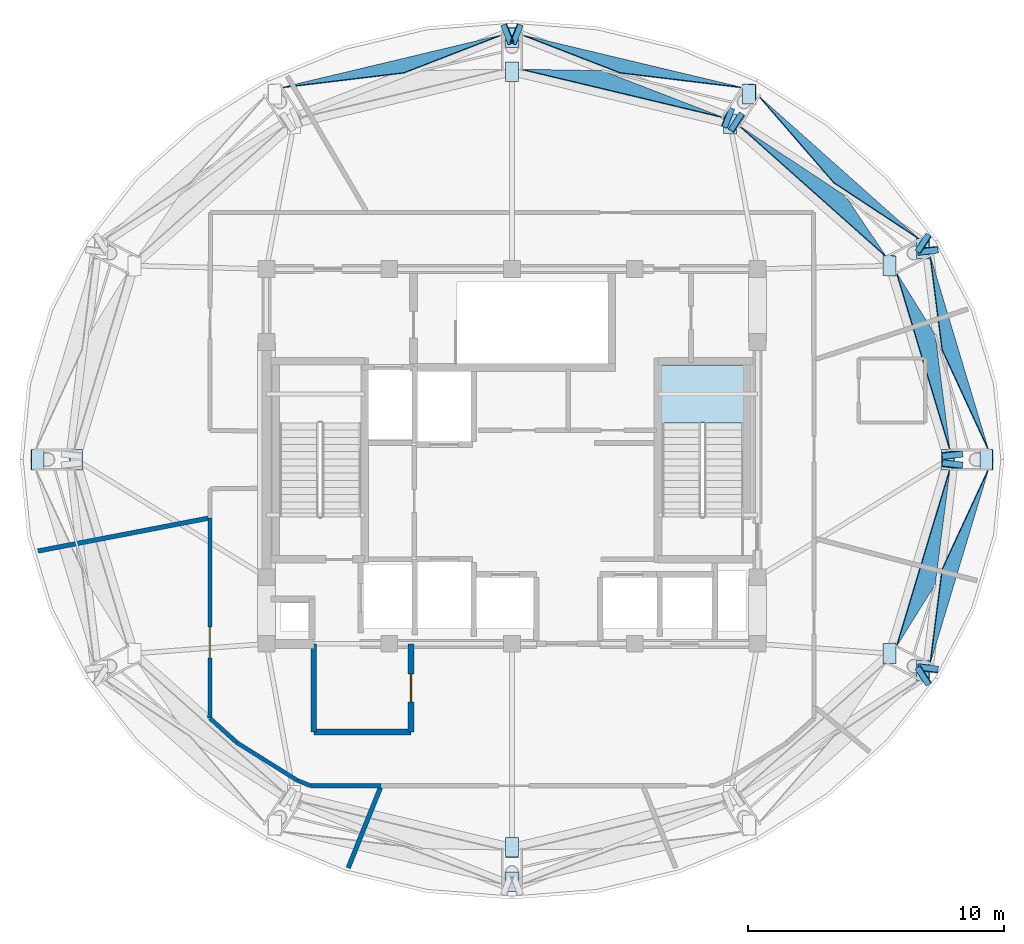
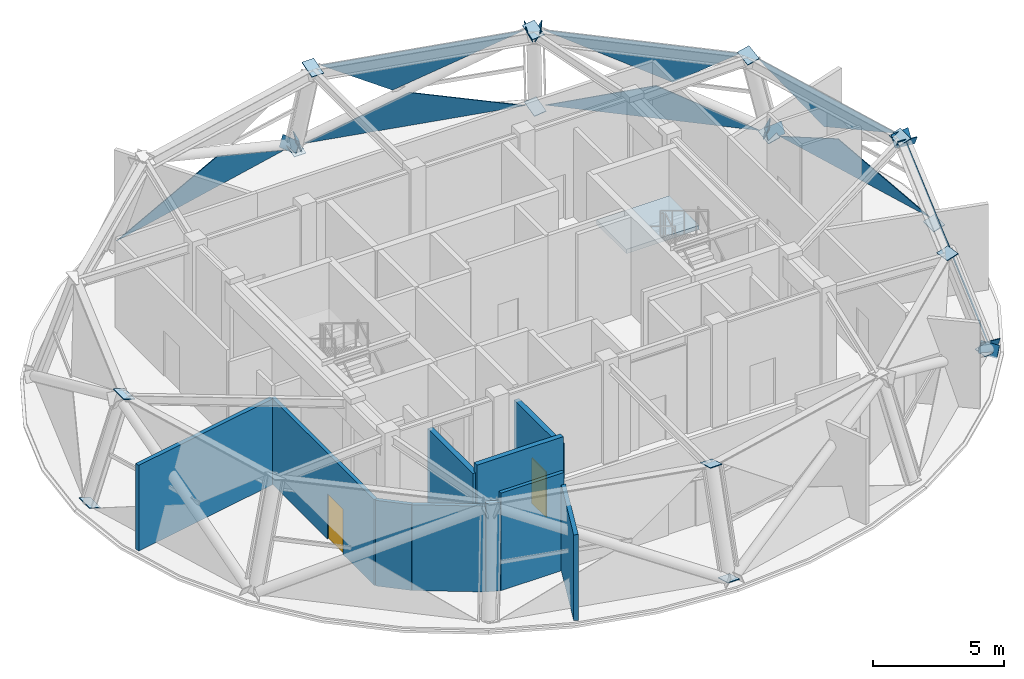
# One storey, part 4 of 11: 33 plates, 10 walls, 2 doors, 1 slab, 2 openings, 6 elements without a shape of their own.
"""IFC4 building model written with IfcOpenShell, lengths in metres."""

from ifc_helpers import new_model, si_unit, direction, frame, frame_2d, origin, place, context, subcontext, project, spatial, polyline, rectangle, outline, extrude, material, layer, layer_set, type_object, element, fill, aggregate, save


model = new_model("IFC4")

# Units and contexts
model_context = context("Model", 3, precision=1e-05, world=origin(), true_north=direction((0.0, 1.0)))
body_context = subcontext(model_context, "Body", "Model", "MODEL_VIEW")
ifc_project = project(units=[si_unit("LENGTHUNIT", "METRE"), si_unit("AREAUNIT", "SQUARE_METRE"), si_unit("VOLUMEUNIT", "CUBIC_METRE"), si_unit("PLANEANGLEUNIT", "RADIAN"), si_unit("MASSUNIT", "GRAM", prefix="KILO")], contexts=[model_context])

# Site, building, storey
site_placement = place(None, origin())
site = spatial("IfcSite", under=ifc_project, at=site_placement, CompositionType="ELEMENT")
building_placement = place(site_placement, origin())
building = spatial("IfcBuilding", under=site, at=building_placement, Name="Vantalir Tower", CompositionType="ELEMENT")
storey_placement = place(building_placement, frame((0.0, 0.0, 299.699951171875)))
storey = spatial("IfcBuildingStorey", under=building, at=storey_placement, Name="L75", CompositionType="ELEMENT", Elevation=299.699951171875)

# Curtain wall, plates
ifc_material_1 = material(Name="Champagne-silver PVDF aluminium and double-silver Low-E glass", Category="aluminium")
ifc_layer_1 = layer(ifc_material_1, 0.219970703125)
ifc_layer_set_1 = layer_set([ifc_layer_1], Name="Champagne-silver PVDF aluminium and double-silver Low-E glass")
curtain_wall_type = type_object("IfcCurtainWallType", Name="CW-DIAMOND-Z4", PredefinedType="USERDEFINED", material=ifc_layer_set_1)
curtain_wall_1_placement = place(storey_placement, origin())
curtain_wall_1 = element("IfcCurtainWall", 1, at=curtain_wall_1_placement, inside=storey, type_object=curtain_wall_type, Name="L75 Quilted Pyramid-Diamond Curtain Wall S01", ObjectType="UNITISED CURTAIN WALL", PredefinedType="USERDEFINED")
ifc_material_2 = material(Name="Double-silver Low-E acoustic glass IGU", Category="glass")
ifc_layer_2 = layer(ifc_material_2, 0.031982421875)
ifc_layer_set_2 = layer_set([ifc_layer_2], Name="Double-silver Low-E acoustic glass IGU")
plate_type_1 = type_object("IfcPlateType", Name="CWP-IGU-32", PredefinedType="CURTAIN_PANEL", material=ifc_layer_set_2)
plate_1_placement = place(storey_placement, frame((50.132568359375, 25.387451171875, 0.047607421875), z_axis=(0.913751989323, 0.274853466194, 0.299187021994), x_axis=(-0.288066221262, 0.95761048884, 6.1903131e-05)))
plate_1 = element("IfcPlate", 2, at=plate_1_placement, type_object=plate_type_1, Name="CW-L75-S01 Pyramid Diamond Facet 1L", PredefinedType="CURTAIN_PANEL", context=body_context, shape_type="SweptSolid", body=[
    extrude(outline(polyline([(0.0, 0.0), (7.887827968579978, -1.1866592777853846e-16), (4.267180070027919, 2.019741368903529), (0.0, 0.0)])), origin(), (0.0, 0.0, -1.0), 0.031982421875),
])
plate_2_placement = place(storey_placement, frame((46.547607421875, 32.289794921875, 4.501708984375), z_axis=(0.907967558751, 0.273206024476, 0.317731617006), x_axis=(0.288115351126, -0.957595707935, 6.7744028e-05)))
plate_2 = element("IfcPlate", 3, at=plate_2_placement, type_object=plate_type_1, Name="CW-L75-S01 Pyramid Diamond Facet 2U", PredefinedType="CURTAIN_PANEL", context=body_context, shape_type="SweptSolid", body=[
    extrude(outline(polyline([(0.0, 0.0), (7.207738664845542, -2.1955093992831465e-16), (2.739908023278532, 2.3345387111269083), (0.0, 0.0)])), origin(), (0.0, 0.0, -1.0), 0.031982421875),
])
aggregate(curtain_wall_1, [plate_1, plate_2])

curtain_wall_2_placement = place(storey_placement, origin())
curtain_wall_2 = element("IfcCurtainWall", 4, at=curtain_wall_2_placement, inside=storey, type_object=curtain_wall_type, Name="L75 Quilted Pyramid-Diamond Curtain Wall S02", ObjectType="UNITISED CURTAIN WALL", PredefinedType="USERDEFINED")
plate_3_placement = place(storey_placement, frame((47.3974609375, 33.653076171875, 0.0478515625), z_axis=(0.637563421946, 0.715751023076, 0.284979571131), x_axis=(-0.746708800711, 0.665151085154, -2.9305683e-05)))
plate_3 = element("IfcPlate", 5, at=plate_3_placement, type_object=plate_type_1, Name="CW-L75-S02 Pyramid Diamond Facet 1L", PredefinedType="CURTAIN_PANEL", context=body_context, shape_type="SweptSolid", body=[
    extrude(outline(polyline([(0.0, 0.0), (8.33082872342985, 6.743737512859838e-17), (3.919227371898298, 2.0076826539412655), (0.0, 0.0)])), origin(), (0.0, 0.0, -1.0), 0.031982421875),
])
plate_4_placement = place(storey_placement, frame((40.4228515625, 38.0283203125, 4.50244140625), z_axis=(0.633730170821, 0.711524313881, 0.303511484706), x_axis=(0.746763715312, -0.665089429632, -6.3907892e-05)))
plate_4 = element("IfcPlate", 6, at=plate_4_placement, type_object=plate_type_1, Name="CW-L75-S02 Pyramid Diamond Facet 2U", PredefinedType="CURTAIN_PANEL", context=body_context, shape_type="SweptSolid", body=[
    extrude(outline(polyline([(0.0, 0.0), (7.640390513435794, -2.636779683484747e-16), (4.8621812284135135, 2.3236567909451518), (0.0, 0.0)])), origin(), (0.0, 0.0, -1.0), 0.031982421875),
])
aggregate(curtain_wall_2, [plate_3, plate_4])

curtain_wall_3_placement = place(storey_placement, origin())
curtain_wall_3 = element("IfcCurtainWall", 7, at=curtain_wall_3_placement, inside=storey, type_object=curtain_wall_type, Name="L75 Quilted Pyramid-Diamond Curtain Wall S03", ObjectType="UNITISED CURTAIN WALL", PredefinedType="USERDEFINED")
plate_5_placement = place(storey_placement, frame((40.481201171875, 39.557373046875, 0.04736328125), z_axis=(0.223413120987, 0.935858828089, 0.272497396793), x_axis=(-0.972671629071, 0.232185053136, 5.5679869e-05)))
plate_5 = element("IfcPlate", 8, at=plate_5_placement, type_object=plate_type_1, Name="CW-L75-S03 Pyramid Diamond Facet 1L", PredefinedType="CURTAIN_PANEL", context=body_context, shape_type="SweptSolid", body=[
    extrude(outline(polyline([(0.0, 0.0), (8.769439656006567, -8.608565249534905e-17), (4.756720443863298, 2.0040418650186504), (0.0, 0.0)])), origin(), (0.0, 0.0, -1.0), 0.031982421875),
])
plate_6_placement = place(storey_placement, frame((31.893798828125, 40.260986328125, 4.502197265625), z_axis=(0.222057040959, 0.930461992241, 0.291429496714), x_axis=(0.972681810826, -0.232142400196, 3.031767e-05)))
plate_6 = element("IfcPlate", 9, at=plate_6_placement, type_object=plate_type_1, Name="CW-L75-S03 Pyramid Diamond Facet 2U", PredefinedType="CURTAIN_PANEL", context=body_context, shape_type="SweptSolid", body=[
    extrude(outline(polyline([(0.0, 0.0), (8.052750225916624, -4.082021179407924e-17), (3.0532302507931846, 2.314423533634651), (0.0, 0.0)])), origin(), (0.0, 0.0, -1.0), 0.031982421875),
])
aggregate(curtain_wall_3, [plate_5, plate_6])

# Curtain wall, plate
curtain_wall_4_placement = place(storey_placement, origin())
curtain_wall_4 = element("IfcCurtainWall", 10, at=curtain_wall_4_placement, inside=storey, type_object=curtain_wall_type, Name="L75 Quilted Pyramid-Diamond Curtain Wall S04", ObjectType="UNITISED CURTAIN WALL", PredefinedType="USERDEFINED")
plate_7_placement = place(storey_placement, frame((31.048583984375, 41.593505859375, 0.0478515625), z_axis=(-0.223413120987, 0.935858828089, 0.272497396793), x_axis=(-0.972671629071, -0.232185053136, -5.5679869e-05)))
plate_7 = element("IfcPlate", 11, at=plate_7_placement, type_object=plate_type_1, Name="CW-L75-S04 Pyramid Diamond Facet 1L", PredefinedType="CURTAIN_PANEL", context=body_context, shape_type="SweptSolid", body=[
    extrude(outline(polyline([(0.0, 0.0), (8.769439656006567, 8.608565249534905e-17), (4.012719212143269, 2.004041865018651), (0.0, 0.0)])), origin(), (0.0, 0.0, -1.0), 0.031982421875),
])
aggregate(curtain_wall_4, [plate_7])

# Curtain wall, plates
curtain_wall_5_placement = place(storey_placement, origin())
curtain_wall_5 = element("IfcCurtainWall", 12, at=curtain_wall_5_placement, inside=storey, type_object=curtain_wall_type, Name="L75 Quilted Pyramid-Diamond Curtain Wall S12", ObjectType="UNITISED CURTAIN WALL", PredefinedType="USERDEFINED")
plate_8_placement = place(storey_placement, frame((47.8603515625, 17.05908203125, 0.048095703125), z_axis=(0.913751989323, -0.274853466194, 0.299187021994), x_axis=(0.288066221262, 0.95761048884, -6.1903131e-05)))
plate_8 = element("IfcPlate", 13, at=plate_8_placement, type_object=plate_type_1, Name="CW-L75-S12 Pyramid Diamond Facet 1L", PredefinedType="CURTAIN_PANEL", context=body_context, shape_type="SweptSolid", body=[
    extrude(outline(polyline([(0.0, 0.0), (7.887827968579978, 1.1866592777853846e-16), (3.6206478985520594, 2.019741368903529), (0.0, 0.0)])), origin(), (0.0, 0.0, -1.0), 0.031982421875),
])
plate_9_placement = place(storey_placement, frame((48.624267578125, 24.6123046875, 4.502197265625), z_axis=(0.907967558751, -0.273206024476, 0.317731617006), x_axis=(-0.288115351126, -0.957595707935, -6.7744028e-05)))
plate_9 = element("IfcPlate", 14, at=plate_9_placement, type_object=plate_type_1, Name="CW-L75-S12 Pyramid Diamond Facet 2U", PredefinedType="CURTAIN_PANEL", context=body_context, shape_type="SweptSolid", body=[
    extrude(outline(polyline([(0.0, 0.0), (7.207738664845542, 2.1955093992831465e-16), (4.46783064156701, 2.3345387111269083), (0.0, 0.0)])), origin(), (0.0, 0.0, -1.0), 0.031982421875),
])
aggregate(curtain_wall_5, [plate_8, plate_9])

# Plates
ifc_material_3 = material(Name="Steel S460", Category="steel")
ifc_layer_3 = layer(ifc_material_3, 0.031982421875)
ifc_layer_set_3 = layer_set([ifc_layer_3], Name="Steel S460")
plate_type_2 = type_object("IfcPlateType", Name="PLT-KN-Z3", PredefinedType="USERDEFINED", material=ifc_layer_set_3)
plate_10_placement = place(storey_placement, frame((48.295654296875, 25.39990234375, 4.490966796875), z_axis=(-0.314960133081, 0.0, 0.949104901773), x_axis=(0.0, -1.0, 0.0)))
element("IfcPlate", 15, at=plate_10_placement, inside=storey, type_object=plate_type_2, Name="L75 Ring Column Top Cap RC01", ObjectType="FLANGE_PLATE", PredefinedType="USERDEFINED", context=body_context, shape_type="SweptSolid", body=[
    extrude(outline(polyline([(0.0, 0.0), (0.7998046875, 0.0), (0.7998046875, 0.5201241114947325), (0.0, 0.5201241114947325), (0.0, 0.0)])), origin(), (0.0, 0.0, -1.0), 0.031982421875),
])
plate_11_placement = place(storey_placement, frame((49.796630859375, 25.39990234375, -0.031494140625), z_axis=(-0.315100506774, 0.0, 0.949058307287), x_axis=(0.0, -1.0, 0.0)))
element("IfcPlate", 16, at=plate_11_placement, inside=storey, type_object=plate_type_2, Name="L75 Ring Column Base Cap RC01", ObjectType="FLANGE_PLATE", PredefinedType="USERDEFINED", context=body_context, shape_type="SweptSolid", body=[
    extrude(outline(polyline([(0.0, 0.0), (0.7998046875, 0.0), (0.7998046875, 0.5198924021173592), (0.0, 0.5198924021173592), (0.0, 0.0)])), origin(), (0.0, 0.0, -1.0), 0.031982421875),
])
plate_12_placement = place(storey_placement, frame((46.00927734375, 32.984619140625, 4.561279296875), z_axis=(-0.273121095349, -0.141077917785, 0.951578629641), x_axis=(3.9662438e-05, -0.989189539574, -0.146642603715)))
element("IfcPlate", 17, at=plate_12_placement, inside=storey, type_object=plate_type_2, Name="L75 Ring Column Top Cap RC02", ObjectType="FLANGE_PLATE", PredefinedType="USERDEFINED", context=body_context, shape_type="SweptSolid", body=[
    extrude(outline(polyline([(0.0, 0.0), (0.7998905633648582, 0.0), (0.7998522044937388, 0.5199823213365796), (-7.41602880418718e-05, 0.5200482818165724), (0.0, 0.0)])), origin(), (0.0, 0.0, -1.0), 0.031982421875),
])
plate_13_placement = place(storey_placement, frame((47.308349609375, 33.654541015625, 0.038818359375), z_axis=(-0.27333598191, -0.14092532508, 0.951539538718), x_axis=(0.0, -0.989210016372, -0.146504414643)))
element("IfcPlate", 18, at=plate_13_placement, inside=storey, type_object=plate_type_2, Name="L75 Ring Column Base Cap RC02", ObjectType="FLANGE_PLATE", PredefinedType="USERDEFINED", context=body_context, shape_type="SweptSolid", body=[
    extrude(outline(polyline([(0.0, 0.0), (0.7998905717991556, 0.0), (0.7998164283804899, 0.5200482947918399), (-7.414341866553154e-05, 0.5200482947918399), (0.0, 0.0)])), origin(), (0.0, 0.0, -1.0), 0.031982421875),
])
plate_14_placement = place(storey_placement, frame((39.764404296875, 38.52392578125, 4.632568359375), z_axis=(-0.158567737457, -0.245595418024, 0.956315409937), x_axis=(5.942008e-06, -0.968569892701, -0.248741558486)))
element("IfcPlate", 19, at=plate_14_placement, inside=storey, type_object=plate_type_2, Name="L75 Ring Column Top Cap RC03", ObjectType="FLANGE_PLATE", PredefinedType="USERDEFINED", context=body_context, shape_type="SweptSolid", body=[
    extrude(outline(polyline([(0.0, 0.0), (0.8000403343747002, -3.469446951953614e-18), (0.800048605225657, 0.5200019931624941), (0.00024473810991695183, 0.5200116212639849), (0.0, 0.0)])), origin(), (0.0, 0.0, -1.0), 0.031982421875),
])
plate_15_placement = place(storey_placement, frame((40.514892578125, 39.6845703125, 0.110107421875), z_axis=(-0.158732464016, -0.245483766888, 0.956316749337), x_axis=(2.3170054e-05, -0.968597904264, -0.248632458297)))
element("IfcPlate", 20, at=plate_15_placement, inside=storey, type_object=plate_type_2, Name="L75 Ring Column Base Cap RC03", ObjectType="FLANGE_PLATE", PredefinedType="USERDEFINED", context=body_context, shape_type="SweptSolid", body=[
    extrude(outline(polyline([(0.0, 0.0), (0.7997431570515092, -3.469446951953614e-18), (0.7997695576174884, 0.5200019803187724), (-3.4300717784790935e-05, 0.5200395178236202), (0.0, 0.0)])), origin(), (0.0, 0.0, -1.0), 0.031982421875),
])
plate_16_placement = place(storey_placement, frame((31.239990234375, 40.540771484375, 4.686767578125), z_axis=(0.0, -0.284098719546, 0.958795034172), x_axis=(0.0, -0.958795034172, -0.284098719546)))
element("IfcPlate", 21, at=plate_16_placement, inside=storey, type_object=plate_type_2, Name="L75 Ring Column Top Cap RC04", ObjectType="FLANGE_PLATE", PredefinedType="USERDEFINED", context=body_context, shape_type="SweptSolid", body=[
    extrude(outline(polyline([(0.0, 0.0), (0.8000561292150457, 0.0), (0.8000561292150457, 0.52001953125), (0.0, 0.52001953125), (0.0, 0.0)])), origin(), (0.0, 0.0, -1.0), 0.031982421875),
])
plate_17_placement = place(storey_placement, frame((31.239990234375, 41.88037109375, 0.16455078125), z_axis=(0.0, -0.284181864549, 0.958770393714), x_axis=(0.0, -0.958770393714, -0.284181864549)))
element("IfcPlate", 22, at=plate_17_placement, inside=storey, type_object=plate_type_2, Name="L75 Ring Column Base Cap RC04", ObjectType="FLANGE_PLATE", PredefinedType="USERDEFINED", context=body_context, shape_type="SweptSolid", body=[
    extrude(outline(polyline([(0.0, 0.0), (0.7998220514035844, 0.0), (0.7998220514035844, 0.5200195312500001), (0.0, 0.5200195312500001), (0.0, 0.0)])), origin(), (0.0, 0.0, -1.0), 0.031982421875),
])
plate_18_placement = place(storey_placement, frame((14.210693359375, 25.39990234375, 4.65478515625), z_axis=(0.314960133081, 0.0, 0.949104901773), x_axis=(0.0, -1.0, 0.0)))
element("IfcPlate", 23, at=plate_18_placement, inside=storey, type_object=plate_type_2, Name="L75 Ring Column Top Cap RC07", ObjectType="FLANGE_PLATE", PredefinedType="USERDEFINED", context=body_context, shape_type="SweptSolid", body=[
    extrude(outline(polyline([(0.0, 0.0), (0.7998046875, 0.0), (0.7998046875, 0.5201241114947325), (0.0, 0.5201241114947325), (0.0, 0.0)])), origin(), (0.0, 0.0, -1.0), 0.031982421875),
])
plate_19_placement = place(storey_placement, frame((12.7099609375, 25.39990234375, 0.13232421875), z_axis=(0.315100506774, 0.0, 0.949058307287), x_axis=(0.0, -1.0, 0.0)))
element("IfcPlate", 24, at=plate_19_placement, inside=storey, type_object=plate_type_2, Name="L75 Ring Column Base Cap RC07", ObjectType="FLANGE_PLATE", PredefinedType="USERDEFINED", context=body_context, shape_type="SweptSolid", body=[
    extrude(outline(polyline([(0.0, 0.0), (0.7998046875, 0.0), (0.7998046875, 0.5198924021173592), (0.0, 0.5198924021173592), (0.0, 0.0)])), origin(), (0.0, 0.0, -1.0), 0.031982421875),
])
plate_20_placement = place(storey_placement, frame((31.239990234375, 10.226318359375, 4.45947265625), z_axis=(0.0, 0.284098719546, 0.958795034172), x_axis=(0.0, -0.958795034172, 0.284098719546)))
element("IfcPlate", 25, at=plate_20_placement, inside=storey, type_object=plate_type_2, Name="L75 Ring Column Top Cap RC10", ObjectType="FLANGE_PLATE", PredefinedType="USERDEFINED", context=body_context, shape_type="SweptSolid", body=[
    extrude(outline(polyline([(0.0, 0.0), (0.8000561292150457, 0.0), (0.8000561292150457, 0.52001953125), (0.0, 0.52001953125), (0.0, 0.0)])), origin(), (0.0, 0.0, -1.0), 0.031982421875),
])
plate_21_placement = place(storey_placement, frame((31.239990234375, 8.886474609375, -0.062744140625), z_axis=(0.0, 0.284181864549, 0.958770393714), x_axis=(0.0, -0.958770393714, 0.284181864549)))
element("IfcPlate", 26, at=plate_21_placement, inside=storey, type_object=plate_type_2, Name="L75 Ring Column Base Cap RC10", ObjectType="FLANGE_PLATE", PredefinedType="USERDEFINED", context=body_context, shape_type="SweptSolid", body=[
    extrude(outline(polyline([(0.0, 0.0), (0.7998220514035844, 0.0), (0.7998220514035844, 0.5200195312500001), (0.0, 0.5200195312500001), (0.0, 0.0)])), origin(), (0.0, 0.0, -1.0), 0.031982421875),
])
plate_22_placement = place(storey_placement, frame((46.00927734375, 17.806640625, 4.444091796875), z_axis=(-0.273121095349, 0.141077917785, 0.951578629641), x_axis=(-3.9662438e-05, -0.989189539574, 0.146642603715)))
element("IfcPlate", 27, at=plate_22_placement, inside=storey, type_object=plate_type_2, Name="L75 Ring Column Top Cap RC12", ObjectType="FLANGE_PLATE", PredefinedType="USERDEFINED", context=body_context, shape_type="SweptSolid", body=[
    extrude(outline(polyline([(0.0, 0.0), (0.7998905633648582, 0.0), (0.7999647236529002, 0.5200482818165724), (3.8358871119387183e-05, 0.5199823213365796), (0.0, 0.0)])), origin(), (0.0, 0.0, -1.0), 0.031982421875),
])
plate_23_placement = place(storey_placement, frame((47.308349609375, 17.13671875, -0.078369140625), z_axis=(-0.27333598191, 0.14092532508, 0.951539538718), x_axis=(0.0, -0.989210016372, 0.146504414643)))
element("IfcPlate", 28, at=plate_23_placement, inside=storey, type_object=plate_type_2, Name="L75 Ring Column Base Cap RC12", ObjectType="FLANGE_PLATE", PredefinedType="USERDEFINED", context=body_context, shape_type="SweptSolid", body=[
    extrude(outline(polyline([(0.0, 0.0), (0.7998905717991556, 0.0), (0.799964715217821, 0.5200482947918399), (7.414341866553154e-05, 0.5200482947918399), (0.0, 0.0)])), origin(), (0.0, 0.0, -1.0), 0.031982421875),
])
plate_24_placement = place(storey_placement, frame((47.688720703125, 33.85986328125, -0.054931640625), z_axis=(-0.755093528934, 0.49034366899, 0.435197482579), x_axis=(-0.544603233274, -0.838693815282, 5.0150249e-05)))
element("IfcPlate", 29, at=plate_24_placement, inside=storey, type_object=plate_type_2, Name="Node Cap Plate MEM-DG-L75-R04L Start", ObjectType="FLANGE_PLATE", PredefinedType="USERDEFINED", context=body_context, shape_type="SweptSolid", body=[
    extrude(outline(polyline([(0.0, 0.0), (0.7998786065810662, -2.7755575615628914e-17), (0.7999957581050037, 0.5200526340146076), (-1.5808249811093068e-05, 0.5201417507206434), (0.0, 0.0)])), origin(), (0.0, 0.0, -1.0), 0.031982421875),
])
plate_25_placement = place(storey_placement, frame((40.390869140625, 38.597900390625, 4.150634765625), z_axis=(-0.755176274565, 0.490308190635, 0.435093866345), x_axis=(-0.544546742017, -0.838730496315, 1.7587275e-05)))
element("IfcPlate", 30, at=plate_25_placement, inside=storey, type_object=plate_type_2, Name="Node Cap Plate MEM-DG-L75-R04L End", ObjectType="FLANGE_PLATE", PredefinedType="USERDEFINED", context=body_context, shape_type="SweptSolid", body=[
    extrude(outline(polyline([(0.0, 0.0), (0.7998786112384895, -2.7755575615628914e-17), (0.7999957534468982, 0.5200526411801601), (-0.0002205719611060252, 0.5200838959291229), (0.0, 0.0)])), origin(), (0.0, 0.0, -1.0), 0.031982421875),
])
plate_26_placement = place(storey_placement, frame((47.379150390625, 32.983154296875, -0.044921875), z_axis=(0.105627893434, -0.88018736296, 0.462723410057), x_axis=(0.992872249778, 0.119183437439, 6.2134989e-05)))
element("IfcPlate", 31, at=plate_26_placement, inside=storey, type_object=plate_type_2, Name="Node Cap Plate MEM-DG-L75-R04R Start", ObjectType="FLANGE_PLATE", PredefinedType="USERDEFINED", context=body_context, shape_type="SweptSolid", body=[
    extrude(outline(polyline([(0.0, 0.0), (0.8001481994181284, 0.0), (0.8002733604166398, 0.5198943822857446), (0.00015425851741721617, 0.5200065450469703), (0.0, 0.0)])), origin(), (0.0, 0.0, -1.0), 0.031982421875),
])
plate_27_placement = place(storey_placement, frame((48.33642578125, 25.00537109375, 4.14892578125), z_axis=(0.105642528391, -0.880174048962, 0.462745394065), x_axis=(0.992870546891, 0.119197626348, 5.4679033e-05)))
element("IfcPlate", 32, at=plate_27_placement, inside=storey, type_object=plate_type_2, Name="Node Cap Plate MEM-DG-L75-R04R End", ObjectType="FLANGE_PLATE", PredefinedType="USERDEFINED", context=body_context, shape_type="SweptSolid", body=[
    extrude(outline(polyline([(0.0, 0.0), (0.8001482010460648, -6.938893903907228e-18), (0.8000309618001838, 0.5199078575567152), (0.00015426177297609854, 0.5200065475509544), (0.0, 0.0)])), origin(), (0.0, 0.0, -1.0), 0.031982421875),
])
plate_28_placement = place(storey_placement, frame((31.057861328125, 41.95751953125, -0.057373046875), z_axis=(-0.840548902351, -0.332027847254, 0.428059635337), x_axis=(0.367388843317, -0.930067437236, 0.0)))
element("IfcPlate", 33, at=plate_28_placement, inside=storey, type_object=plate_type_2, Name="Node Cap Plate MEM-DG-L75-R10L Start", ObjectType="FLANGE_PLATE", PredefinedType="USERDEFINED", context=body_context, shape_type="SweptSolid", body=[
    extrude(outline(polyline([(0.0, 0.0), (0.8000931923945569, 0.0), (0.8000866366473137, 0.5200226259397852), (-6.555747243050525e-06, 0.5200226259397852), (0.0, 0.0)])), origin(), (0.0, 0.0, -1.0), 0.031982421875),
])
plate_29_placement = place(storey_placement, frame((31.648193359375, 41.21337890625, -0.057373046875), z_axis=(0.840548902351, -0.332027847254, 0.428059635337), x_axis=(0.367388843317, 0.930067437236, 0.0)))
element("IfcPlate", 34, at=plate_29_placement, inside=storey, type_object=plate_type_2, Name="Node Cap Plate MEM-DG-L75-R10R Start", ObjectType="FLANGE_PLATE", PredefinedType="USERDEFINED", context=body_context, shape_type="SweptSolid", body=[
    extrude(outline(polyline([(0.0, 0.0), (0.8000931923945569, 0.0), (0.8000997481417998, 0.5200226259397852), (6.555747243050525e-06, 0.5200226259397852), (0.0, 0.0)])), origin(), (0.0, 0.0, -1.0), 0.031982421875),
])
plate_30_placement = place(storey_placement, frame((39.911865234375, 37.94921875, 4.151123046875), z_axis=(0.840511664938, -0.332122101932, 0.428059634293), x_axis=(0.367493135926, 0.930026233526, 0.0)))
element("IfcPlate", 35, at=plate_30_placement, inside=storey, type_object=plate_type_2, Name="Node Cap Plate MEM-DG-L75-R10R End", ObjectType="FLANGE_PLATE", PredefinedType="USERDEFINED", context=body_context, shape_type="SweptSolid", body=[
    extrude(outline(polyline([(0.0, 0.0), (0.7998661301781739, 0.0), (0.7998477241640871, 0.520022625655371), (-1.840601408669145e-05, 0.520022625655371), (0.0, 0.0)])), origin(), (0.0, 0.0, -1.0), 0.031982421875),
])
plate_31_placement = place(storey_placement, frame((48.173583984375, 16.92138671875, -0.044921875), z_axis=(0.105627893434, 0.88018736296, 0.462723410057), x_axis=(-0.992872249778, 0.119183437439, -6.2134989e-05)))
element("IfcPlate", 36, at=plate_31_placement, inside=storey, type_object=plate_type_2, Name="Node Cap Plate MEM-DG-L75-R34L Start", ObjectType="FLANGE_PLATE", PredefinedType="USERDEFINED", context=body_context, shape_type="SweptSolid", body=[
    extrude(outline(polyline([(0.0, 0.0), (0.8001481994181284, 0.0), (0.7999939409007111, 0.5200065450469703), (-0.00012516099851130958, 0.5198943822857446), (0.0, 0.0)])), origin(), (0.0, 0.0, -1.0), 0.031982421875),
])
plate_32_placement = place(storey_placement, frame((49.130859375, 24.899169921875, 4.14892578125), z_axis=(0.105642528391, 0.880174048962, 0.462745394065), x_axis=(-0.992870546891, 0.119197626348, -5.4679033e-05)))
element("IfcPlate", 37, at=plate_32_placement, inside=storey, type_object=plate_type_2, Name="Node Cap Plate MEM-DG-L75-R34L End", ObjectType="FLANGE_PLATE", PredefinedType="USERDEFINED", context=body_context, shape_type="SweptSolid", body=[
    extrude(outline(polyline([(0.0, 0.0), (0.8001482010460648, 6.938893903907228e-18), (0.7999939392730887, 0.5200065475509544), (0.00011723924588092889, 0.5199078575567152), (0.0, 0.0)])), origin(), (0.0, 0.0, -1.0), 0.031982421875),
])
plate_33_placement = place(storey_placement, frame((47.253173828125, 16.81103515625, -0.054931640625), z_axis=(-0.755093528934, -0.49034366899, 0.435197482579), x_axis=(0.544603233274, -0.838693815282, -5.0150249e-05)))
element("IfcPlate", 38, at=plate_33_placement, inside=storey, type_object=plate_type_2, Name="Node Cap Plate MEM-DG-L75-R34R Start", ObjectType="FLANGE_PLATE", PredefinedType="USERDEFINED", context=body_context, shape_type="SweptSolid", body=[
    extrude(outline(polyline([(0.0, 0.0), (0.7998786065810662, 2.7755575615628914e-17), (0.7998944148308773, 0.5201417507206434), (-0.00011715152393746021, 0.5200526340146076), (0.0, 0.0)])), origin(), (0.0, 0.0, -1.0), 0.031982421875),
])

# Stair, slab
ifc_material_4 = material(Name="Concrete C40/50", Category="concrete")
stair_type = type_object("IfcStairType", Name="STR-CORE-1450", PredefinedType="HALF_TURN_STAIR", material=ifc_material_4)
stair_placement = place(storey_placement, origin())
stair = element("IfcStair", 39, at=stair_placement, inside=storey, type_object=stair_type, Name="L75 Core Exit Stair 2", PredefinedType="HALF_TURN_STAIR")
ifc_layer_4 = layer(ifc_material_4, 0.199951171875)
ifc_layer_set_4 = layer_set([ifc_layer_4], Name="Concrete C40/50")
slab_type = type_object("IfcSlabType", Name="SL-LAND-200", PredefinedType="LANDING", material=ifc_layer_set_4)
slab_placement = place(storey_placement, frame((0.0, 0.0, 2.199951171875)))
slab = element("IfcSlab", 40, at=slab_placement, type_object=slab_type, Name="ST2 landing 1", PredefinedType="LANDING", context=body_context, shape_type="SweptSolid", body=[
    extrude(outline(polyline([(40.550048828125, 26.429931640625), (40.550048828125, 28.699951171875), (37.35009765625, 28.699951171875), (37.35009765625, 26.429931640625), (40.550048828125, 26.429931640625)])), origin(), (0.0, 0.0, 1.0), 0.2001953125),
])
aggregate(stair, [slab])

# Walls
ifc_material_5 = material(Name="Fire-rated hotel corridor acoustic partition", Category="gypsum")
ifc_layer_5 = layer(ifc_material_5, 0.159912109375)
ifc_layer_set_5 = layer_set([ifc_layer_5], Name="Fire-rated hotel corridor acoustic partition")
wall_type_1 = type_object("IfcWallType", Name="WL-CORR-160", PredefinedType="PARTITIONING", material=ifc_layer_set_5)
wall_1_placement = place(storey_placement, frame((26.385986328125, 12.25, 0.0), z_axis=(0.0, 0.0, 1.0), x_axis=(-1.0, 0.0, 0.0)))
element("IfcWall", 41, at=wall_1_placement, inside=storey, type_object=wall_type_1, Name="L75 Corridor Partition 14", PredefinedType="PARTITIONING", context=body_context, shape_type="SweptSolid", body=[
    extrude(rectangle(XDim=2.76904296875, YDim=0.159912109375, at=frame_2d((1.384521484375, 0.0))), origin(), (0.0, 0.0, 1.0), 4.530029296875),
])
wall_2_placement = place(storey_placement, frame((23.616943359375, 12.25, 0.0), z_axis=(0.0, 0.0, 1.0), x_axis=(-0.925247302977, 0.379364505897, 0.0)))
element("IfcWall", 42, at=wall_2_placement, inside=storey, type_object=wall_type_1, Name="L75 Corridor Partition 15", PredefinedType="PARTITIONING", context=body_context, shape_type="SweptSolid", body=[
    extrude(rectangle(XDim=0.55859375, YDim=0.159912109375, at=frame_2d((0.279296875, 0.0))), origin(), (0.0, 0.0, 1.0), 4.112060546875),
])
wall_3_placement = place(storey_placement, frame((23.10009765625, 12.4619140625, 0.0), z_axis=(0.0, 0.0, 1.0), x_axis=(-0.847900235057, 0.530155818029, 0.0)))
element("IfcWall", 43, at=wall_3_placement, inside=storey, type_object=wall_type_1, Name="L75 Corridor Partition 16", PredefinedType="PARTITIONING", context=body_context, shape_type="SweptSolid", body=[
    extrude(rectangle(XDim=2.797607421875, YDim=0.159912109375, at=frame_2d((1.39892578125, 0.0))), origin(), (0.0, 0.0, 1.0), 3.983154296875),
])
wall_4_placement = place(storey_placement, frame((20.72802734375, 13.945068359375, 0.0), z_axis=(0.0, 0.0, 1.0), x_axis=(-0.741116421507, 0.671376533528, 0.0)))
element("IfcWall", 44, at=wall_4_placement, inside=storey, type_object=wall_type_1, Name="L75 Corridor Partition 17", PredefinedType="PARTITIONING", context=body_context, shape_type="SweptSolid", body=[
    extrude(rectangle(XDim=1.4072265625, YDim=0.159912109375, at=frame_2d((0.70361328125, 0.0))), origin(), (0.0, 0.0, 1.0), 3.983154296875),
])

# Wall, opening, door
wall_5_placement = place(storey_placement, frame((19.68505859375, 14.889892578125, 0.0), z_axis=(0.0, 0.0, 1.0), x_axis=(0.000124703827, 0.999999992224, 0.0)))
wall_5 = element("IfcWall", 45, at=wall_5_placement, inside=storey, type_object=wall_type_1, Name="L75 Corridor Partition 18", PredefinedType="PARTITIONING", context=body_context, shape_type="SweptSolid", body=[
    extrude(rectangle(XDim=7.8310546875, YDim=0.159912109375, at=frame_2d((3.91552734375, 0.0))), origin(), (0.0, 0.0, 1.0), 3.983154296875),
])
opening_1_placement = place(wall_5_placement, frame((2.362060546875, 0.0, 0.0)))
opening_1 = element("IfcOpeningElement", 46, at=opening_1_placement, cuts=wall_5, Name="Opening D-STE", PredefinedType="OPENING", context=body_context, shape_type="SweptSolid", body=[
    extrude(rectangle(XDim=1.199951171875, YDim=2.10009765625, at=frame_2d((0.60009765625, 1.050048828125))), frame((0.0, 0.08984375, 0.0), z_axis=(0.0, -1.0, 0.0), x_axis=(1.0, 0.0, 0.0)), (0.0, 0.0, 1.0), 0.179931640625),
])
ifc_material_6 = material(Name="Solid-core teak veneer suite entrance door", Category="wood")
door_type_1 = type_object("IfcDoorType", Name="DR-SUITE-ENTRY-1200", OperationType="NOTDEFINED", PredefinedType="DOOR", material=ifc_material_6)
door_1_placement = place(opening_1_placement, origin())
door_1 = element("IfcDoor", 47, at=door_1_placement, inside=storey, type_object=door_type_1, Name="L75 Commercial Sky Banquet Kitchen Door", OperationType="SINGLE_SWING_LEFT", OverallHeight=2.10009765625, OverallWidth=1.199951171875, PredefinedType="DOOR", context=body_context, shape_type="SweptSolid", body=[
    extrude(rectangle(XDim=1.199951171875, YDim=2.10009765625, at=frame_2d((0.60009765625, 1.050048828125))), frame((0.0, 0.02490234375, 0.0), z_axis=(0.0, -1.0, 0.0), x_axis=(1.0, 0.0, 0.0)), (0.0, 0.0, 1.0), 0.050048828125),
])
fill(opening_1, door_1)

# Walls
ifc_material_7 = material(Name="Concrete blockwork with fireboard lining", Category="masonry")
ifc_layer_6 = layer(ifc_material_7, 0.219970703125)
ifc_layer_set_6 = layer_set([ifc_layer_6], Name="Concrete blockwork with fireboard lining")
wall_type_2 = type_object("IfcWallType", Name="WL-FFL-220", PredefinedType="PARTITIONING", material=ifc_layer_set_6)
wall_6_placement = place(storey_placement, frame((23.75, 14.35009765625, 0.0), z_axis=(0.0, 0.0, 1.0), x_axis=(0.0, 1.0, 0.0)))
element("IfcWall", 48, at=wall_6_placement, inside=storey, type_object=wall_type_2, Name="L75 Firefighting Lobby West Outer W", PredefinedType="PARTITIONING", context=body_context, shape_type="SweptSolid", body=[
    extrude(rectangle(XDim=3.449951171875, YDim=0.219970703125, at=frame_2d((1.72509765625, 0.0))), origin(), (0.0, 0.0, 1.0), 4.112060546875),
])
wall_7_placement = place(storey_placement, frame((23.75, 14.35009765625, 0.0), z_axis=(0.0, 0.0, 1.0), x_axis=(1.0, 0.0, 0.0)))
element("IfcWall", 49, at=wall_7_placement, inside=storey, type_object=wall_type_2, Name="L75 Firefighting Lobby West South Wall", PredefinedType="PARTITIONING", context=body_context, shape_type="SweptSolid", body=[
    extrude(rectangle(XDim=3.800048828125, YDim=0.219970703125, at=frame_2d((1.89990234375, 0.0))), origin(), (0.0, 0.0, 1.0), 4.530029296875),
])

# Wall, opening, door
wall_8_placement = place(storey_placement, frame((27.550048828125, 14.35009765625, 0.0), z_axis=(0.0, 0.0, 1.0), x_axis=(0.0, 1.0, 0.0)))
wall_8 = element("IfcWall", 50, at=wall_8_placement, inside=storey, type_object=wall_type_2, Name="L75 Firefighting Lobby West East Wall", PredefinedType="PARTITIONING", context=body_context, shape_type="SweptSolid", body=[
    extrude(rectangle(XDim=3.449951171875, YDim=0.219970703125, at=frame_2d((1.72509765625, 0.0))), origin(), (0.0, 0.0, 1.0), 4.112060546875),
])
opening_2_placement = place(wall_8_placement, frame((1.175048828125, 0.0, 0.0)))
opening_2 = element("IfcOpeningElement", 51, at=opening_2_placement, cuts=wall_8, Name="Opening D-FFL", PredefinedType="OPENING", context=body_context, shape_type="SweptSolid", body=[
    extrude(rectangle(XDim=1.10009765625, YDim=2.10009765625, at=frame_2d((0.550048828125, 1.050048828125))), frame((0.0, 0.119873046875, 0.0), z_axis=(0.0, -1.0, 0.0), x_axis=(1.0, 0.0, 0.0)), (0.0, 0.0, 1.0), 0.239990234375),
])
ifc_material_8 = material(Name="Fire-rated acoustic steel door", Category="steel")
door_type_2 = type_object("IfcDoorType", Name="DR-FIRE-LOBBY-1100", OperationType="NOTDEFINED", PredefinedType="DOOR", material=ifc_material_8)
door_2_placement = place(opening_2_placement, origin())
door_2 = element("IfcDoor", 52, at=door_2_placement, inside=storey, type_object=door_type_2, Name="L75 Firefighting Lobby West Access Door", OperationType="SINGLE_SWING_RIGHT", OverallHeight=2.10009765625, OverallWidth=1.10009765625, PredefinedType="DOOR", context=body_context, shape_type="SweptSolid", body=[
    extrude(rectangle(XDim=1.10009765625, YDim=2.10009765625, at=frame_2d((0.550048828125, 1.050048828125))), frame((0.0, 0.02490234375, 0.0), z_axis=(0.0, -1.0, 0.0), x_axis=(1.0, 0.0, 0.0)), (0.0, 0.0, 1.0), 0.050048828125),
])
fill(opening_2, door_2)

# Walls
ifc_material_9 = material(Name="Twin-stud acoustic fire-rated gypsum partition", Category="gypsum")
ifc_layer_7 = layer(ifc_material_9, 0.179931640625)
ifc_layer_set_7 = layer_set([ifc_layer_7], Name="Twin-stud acoustic fire-rated gypsum partition")
wall_type_3 = type_object("IfcWallType", Name="WL-GUEST-180", PredefinedType="PARTITIONING", material=ifc_layer_set_7)
wall_9_placement = place(storey_placement, frame((19.610107421875, 22.70703125, 0.0), z_axis=(0.0, 0.0, 1.0), x_axis=(-0.981905394736, -0.189372109321, 0.0)))
element("IfcWall", 53, at=wall_9_placement, inside=storey, type_object=wall_type_3, Name="L75 Radial Suite Partition 03", PredefinedType="PARTITIONING", context=body_context, shape_type="SweptSolid", body=[
    extrude(rectangle(XDim=6.764404296875, YDim=0.179931640625, at=frame_2d((3.38232421875, 0.0))), origin(), (0.0, 0.0, 1.0), 3.983154296875),
])
wall_10_placement = place(storey_placement, frame((26.35595703125, 12.175048828125, 0.0), z_axis=(0.0, 0.0, 1.0), x_axis=(-0.372473826154, -0.928042697741, 0.0)))
element("IfcWall", 54, at=wall_10_placement, inside=storey, type_object=wall_type_3, Name="L75 Radial Suite Partition 04", PredefinedType="PARTITIONING", context=body_context, shape_type="SweptSolid", body=[
    extrude(rectangle(XDim=3.380126953125, YDim=0.179931640625, at=frame_2d((1.68994140625, 0.0))), origin(), (0.0, 0.0, 1.0), 3.983154296875),
])

save(model, "model.ifc")
